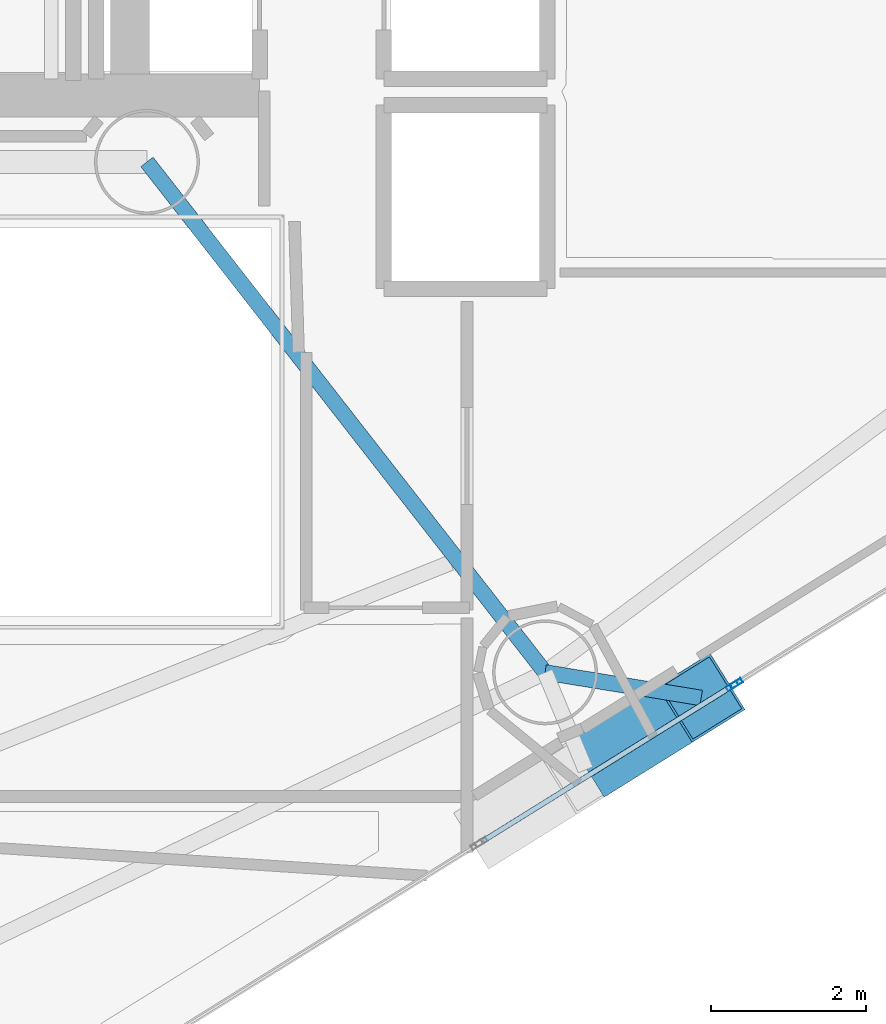
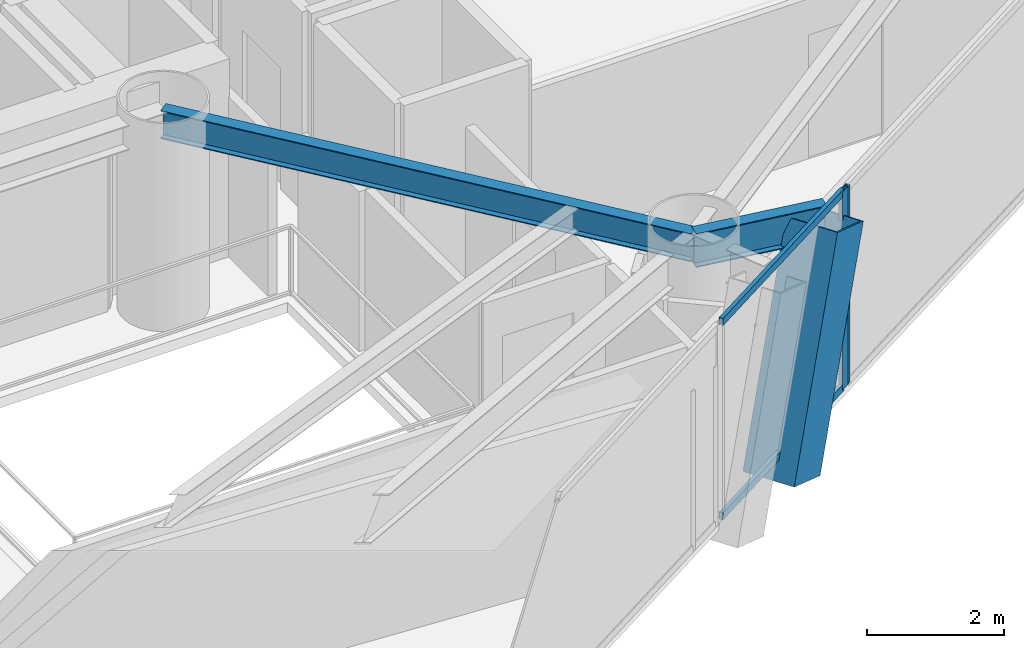
# One storey, part 6 of 22: 5 members, 2 beams, 2 elements without a shape of their own.
"""IFC4 building model written with IfcOpenShell, lengths in metres."""

from ifc_helpers import new_model, si_unit, direction, frame, origin, origin_2d, place, context, subcontext, project, spatial, hollow_rectangle, i_section, extrude, material, layer, layer_set, material_profile, profile_set, type_object, element, aggregate, save


model = new_model("IFC4")

# Units and contexts
model_context = context("Model", 3, precision=1e-05, world=origin(), true_north=direction((0.0, 1.0)))
body_context = subcontext(model_context, "Body", "Model", "MODEL_VIEW")
ifc_project = project(units=[si_unit("LENGTHUNIT", "METRE"), si_unit("AREAUNIT", "SQUARE_METRE"), si_unit("VOLUMEUNIT", "CUBIC_METRE"), si_unit("PLANEANGLEUNIT", "RADIAN"), si_unit("MASSUNIT", "GRAM", prefix="KILO")], contexts=[model_context])

# Site, building, storey
site_placement = place(None, origin())
site = spatial("IfcSite", under=ifc_project, at=site_placement, CompositionType="ELEMENT")
building_placement = place(site_placement, origin())
building = spatial("IfcBuilding", under=site, at=building_placement, Name="Qianvela Tower", CompositionType="ELEMENT")
storey_placement = place(building_placement, frame((0.0, 0.0, 177.199951171875)))
storey = spatial("IfcBuildingStorey", under=building, at=storey_placement, Name="L45", CompositionType="ELEMENT", Elevation=177.199951171875)

# Beams
ifc_material_1 = material(Name="Steel Q355B", Category="steel")
ifc_material_profile_1 = material_profile(ifc_material_1, i_section(OverallWidth=0.199951171875, OverallDepth=0.5, WebThickness=0.010009765625, FlangeThickness=0.01611328125, at=origin_2d()), Name="HN500x200x10x16")
ifc_profile_set_1 = profile_set([ifc_material_profile_1], Name="Steel Q355B")
beam_type_1 = type_object("IfcBeamType", Name="BM-HN500-GIRD", PredefinedType="BEAM", material=ifc_profile_set_1)
beam_1_placement = place(storey_placement, frame((38.39990234375, 23.85009765625, 3.26806640625), z_axis=(0.615000832816, -0.788526458424, 0.0), x_axis=(0.788526458424, 0.615000832816, 0.0)))
element("IfcBeam", 1, at=beam_1_placement, inside=storey, type_object=beam_type_1, Name="L45 Radial Primary Floor Girder 6", PredefinedType="BEAM", context=body_context, shape_type="SweptSolid", body=[
    extrude(i_section(OverallWidth=0.199951171875, OverallDepth=0.5, WebThickness=0.010009765625, FlangeThickness=0.01611328125, at=origin_2d()), origin(), (0.0, 0.0, 1.0), 8.333251953125),
])
ifc_material_2 = material(Name="Steel Q355B", Category="steel")
ifc_material_profile_2 = material_profile(ifc_material_2, i_section(OverallWidth=0.199951171875, OverallDepth=0.60009765625, WebThickness=0.010986328125, FlangeThickness=0.01708984375, at=origin_2d()), Name="HN600x200x11x17")
ifc_profile_set_2 = profile_set([ifc_material_profile_2], Name="Steel Q355B")
beam_type_2 = type_object("IfcBeamType", Name="BM-HN600-GIRD", PredefinedType="BEAM", material=ifc_profile_set_2)
beam_2_placement = place(storey_placement, frame((43.52490234375, 17.279052734375, 3.218017578125), z_axis=(0.986818251563, -0.161832439214, 0.0), x_axis=(0.161832439214, 0.986818251563, 0.0)))
element("IfcBeam", 2, at=beam_2_placement, inside=storey, type_object=beam_type_2, Name="L45 Mega-Brace Column Tie Bracket F3-2", PredefinedType="BEAM", context=body_context, shape_type="SweptSolid", body=[
    extrude(i_section(OverallWidth=0.199951171875, OverallDepth=0.60009765625, WebThickness=0.010986328125, FlangeThickness=0.01708984375, at=origin_2d()), origin(), (0.0, 0.0, 1.0), 2.03662109375),
])

# Curtain wall, members
ifc_material_3 = material(Name="Anodised Architectural Aluminium and Insulated Spandrel Panel", Category="aluminium")
ifc_layer_1 = layer(ifc_material_3, 0.179931640625)
ifc_layer_set_1 = layer_set([ifc_layer_1], Name="Anodised Architectural Aluminium and Insulated Spandrel Panel")
curtain_wall_type_1 = type_object("IfcCurtainWallType", Name="CW-BRACEBAY", PredefinedType="USERDEFINED", material=ifc_layer_set_1)
curtain_wall_1_placement = place(storey_placement, origin())
curtain_wall_1 = element("IfcCurtainWall", 3, at=curtain_wall_1_placement, inside=storey, type_object=curtain_wall_type_1, Name="L45 CW-BRACEBAY Curtain Wall 06B", ObjectType="CURTAIN_WALL_SYSTEM", PredefinedType="USERDEFINED")
ifc_material_4 = material(Name="Anodised Architectural Aluminium 6063-T6", Category="aluminium")
ifc_material_profile_3 = material_profile(ifc_material_4, hollow_rectangle(XDim=0.06494140625, YDim=0.159912109375, WallThickness=0.0048828125, at=origin_2d()), Name="ALU-MULL-65x160")
ifc_profile_set_3 = profile_set([ifc_material_profile_3], Name="Anodised Architectural Aluminium 6063-T6")
member_type_1 = type_object("IfcMemberType", Name="CW-BRACEBAY-MULL", PredefinedType="MULLION", material=ifc_profile_set_3)
member_1_placement = place(storey_placement, frame((45.9345703125, 17.103759765625, 0.0), z_axis=(0.0, 0.0, 1.0), x_axis=(-0.528046449634, 0.84921548916, 0.0)))
member_1 = element("IfcMember", 4, at=member_1_placement, type_object=member_type_1, Name="CW-9 mullion 2", PredefinedType="MULLION", context=body_context, shape_type="SweptSolid", body=[
    extrude(hollow_rectangle(XDim=0.06494140625, YDim=0.159912109375, WallThickness=0.0048828125, at=origin_2d()), origin(), (0.0, 0.0, 1.0), 3.52001953125),
])
ifc_material_5 = material(Name="Anodised Architectural Aluminium 6063-T6", Category="aluminium")
ifc_material_profile_4 = material_profile(ifc_material_5, hollow_rectangle(XDim=0.06494140625, YDim=0.1298828125, WallThickness=0.00439453125, at=origin_2d()), Name="ALU-TRAN-65x130")
ifc_profile_set_4 = profile_set([ifc_material_profile_4], Name="Anodised Architectural Aluminium 6063-T6")
member_type_2 = type_object("IfcMemberType", Name="CW-BRACEBAY-TRAN", PredefinedType="USERDEFINED", material=ifc_profile_set_4)
member_2_placement = place(storey_placement, frame((42.73095703125, 15.11181640625, 0.032470703125), z_axis=(0.849217287529, 0.528043557447, 0.0), x_axis=(-0.528043557447, 0.849217287529, 0.0)))
member_2 = element("IfcMember", 5, at=member_2_placement, type_object=member_type_2, Name="CW-9 transom 1.1", ObjectType="TRANSOM", PredefinedType="USERDEFINED", context=body_context, shape_type="SweptSolid", body=[
    extrude(hollow_rectangle(XDim=0.06494140625, YDim=0.1298828125, WallThickness=0.00439453125, at=origin_2d()), origin(), (0.0, 0.0, 1.0), 3.739990234375),
])
member_3_placement = place(storey_placement, frame((42.73095703125, 15.11181640625, 3.487548828125), z_axis=(0.849217287529, 0.528043557447, 0.0), x_axis=(-0.528043557447, 0.849217287529, 0.0)))
member_3 = element("IfcMember", 6, at=member_3_placement, type_object=member_type_2, Name="CW-9 transom 1.2", ObjectType="TRANSOM", PredefinedType="USERDEFINED", context=body_context, shape_type="SweptSolid", body=[
    extrude(hollow_rectangle(XDim=0.06494140625, YDim=0.1298828125, WallThickness=0.00439453125, at=origin_2d()), origin(), (0.0, 0.0, 1.0), 3.739990234375),
])
aggregate(curtain_wall_1, [member_1, member_2, member_3])

# Curtain wall, member
ifc_material_6 = material(Name="Anodised Architectural Aluminium and Low-E Glass", Category="aluminium")
ifc_layer_2 = layer(ifc_material_6, 0.169921875)
ifc_layer_set_2 = layer_set([ifc_layer_2], Name="Anodised Architectural Aluminium and Low-E Glass")
curtain_wall_type_2 = type_object("IfcCurtainWallType", Name="CW-COLIV-Z34", PredefinedType="USERDEFINED", material=ifc_layer_set_2)
curtain_wall_2_placement = place(storey_placement, origin())
curtain_wall_2 = element("IfcCurtainWall", 7, at=curtain_wall_2_placement, inside=storey, type_object=curtain_wall_type_2, Name="L45 CW-COLIV-Z34 Curtain Wall 06C", ObjectType="CURTAIN_WALL_SYSTEM", PredefinedType="USERDEFINED")
ifc_material_7 = material(Name="Anodised Architectural Aluminium 6063-T6", Category="aluminium")
ifc_material_profile_5 = material_profile(ifc_material_7, hollow_rectangle(XDim=0.06494140625, YDim=0.159912109375, WallThickness=0.0048828125, at=origin_2d()), Name="ALU-MULL-65x160")
ifc_profile_set_5 = profile_set([ifc_material_profile_5], Name="Anodised Architectural Aluminium 6063-T6")
member_type_3 = type_object("IfcMemberType", Name="CW-COLIV-Z34-MULL", PredefinedType="MULLION", material=ifc_profile_set_5)
member_4_placement = place(storey_placement, frame((45.98974609375, 17.13818359375, 0.0), z_axis=(0.0, 0.0, 1.0), x_axis=(-0.528037643852, 0.849220964576, 0.0)))
member_4 = element("IfcMember", 8, at=member_4_placement, type_object=member_type_3, Name="CW-4 mullion 1", PredefinedType="MULLION", context=body_context, shape_type="SweptSolid", body=[
    extrude(hollow_rectangle(XDim=0.06494140625, YDim=0.159912109375, WallThickness=0.0048828125, at=origin_2d()), origin(), (0.0, 0.0, 1.0), 3.52001953125),
])
aggregate(curtain_wall_2, [member_4])

# Member
ifc_material_8 = material(Name="Steel Q420GJC", Category="steel")
ifc_material_profile_6 = material_profile(ifc_material_8, hollow_rectangle(XDim=0.85009765625, YDim=0.85009765625, WallThickness=0.031982421875, at=origin_2d()), Name="MBOX-850x850x32")
ifc_profile_set_6 = profile_set([ifc_material_profile_6], Name="Steel Q420GJC")
member_type_4 = type_object("IfcMemberType", Name="MBR-MBRACE-850", PredefinedType="BRACE", material=ifc_profile_set_6)
member_5_placement = place(storey_placement, frame((44.400146484375, 16.243896484375, -0.48193359375), z_axis=(0.288405133087, 0.17936105759, 0.940559455978), x_axis=(-0.528108662866, 0.8491768015, 0.0)))
element("IfcMember", 9, at=member_5_placement, inside=storey, type_object=member_type_4, Name="L45 Tier 7 Exterior Mega-Brace F3B", PredefinedType="BRACE", context=body_context, shape_type="SweptSolid", body=[
    extrude(hollow_rectangle(XDim=0.85009765625, YDim=0.85009765625, WallThickness=0.031982421875, at=origin_2d()), origin(), (0.0, 0.0, 1.0), 3.933837890625),
])

save(model, "model.ifc")
